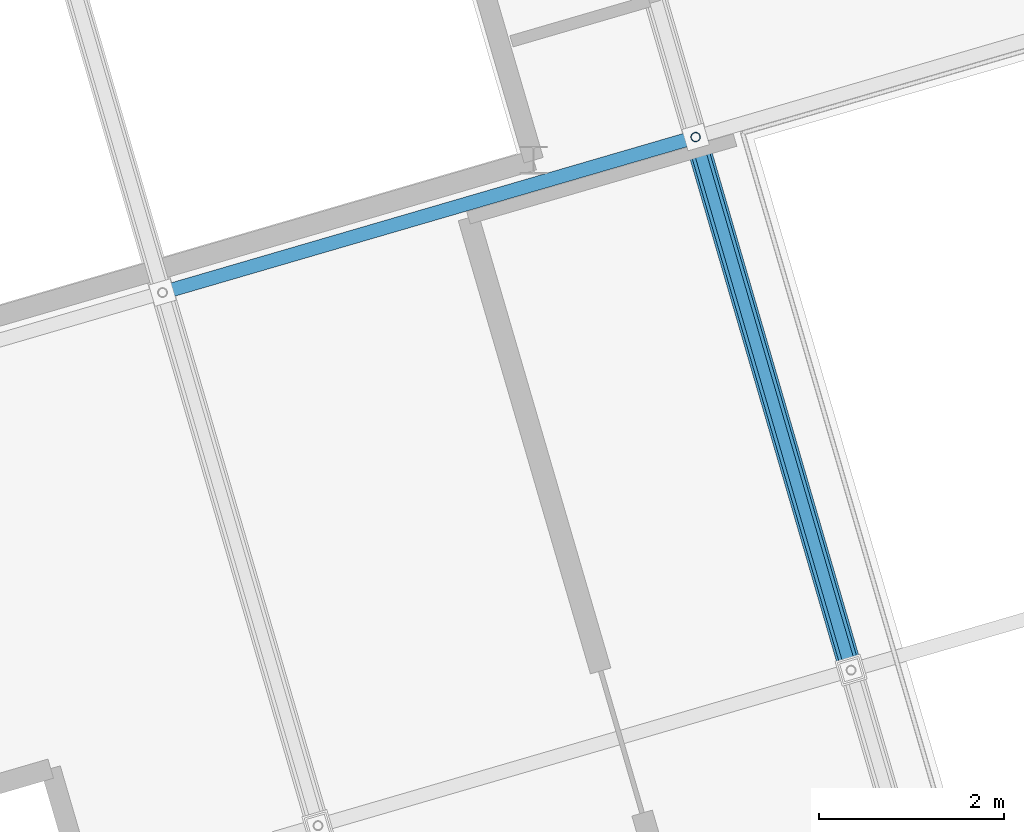
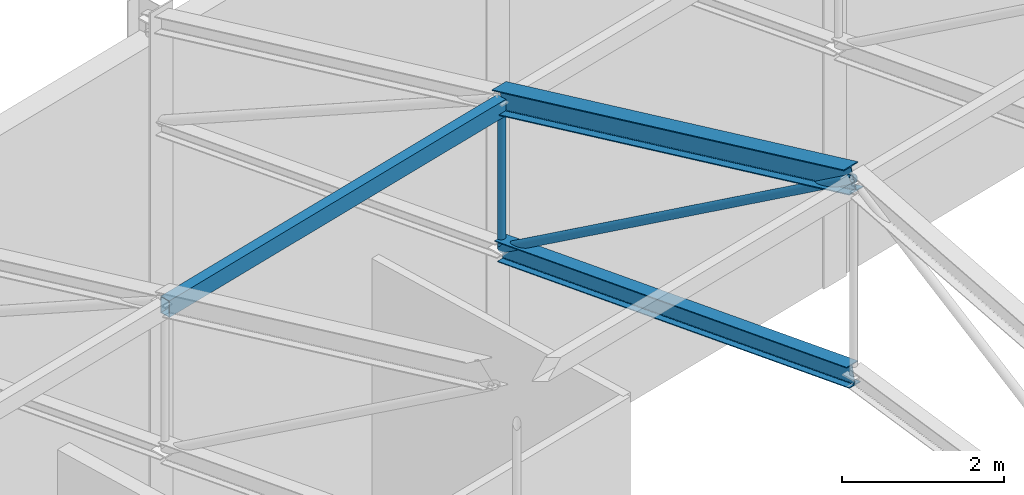
# One storey, part 146 of 248: 5 members.
"""IFC4 building model written with IfcOpenShell, lengths in metres."""

from ifc_helpers import new_model, si_unit, direction, frame, origin, origin_2d, place, context, subcontext, project, spatial, hollow_rectangle, hollow_circle, i_section, extrude, material, material_profile, profile_set, type_object, element, save


model = new_model("IFC4")

# Units and contexts
model_context = context("Model", 3, precision=1e-05, world=origin(), true_north=direction((0.0, 1.0)))
body_context = subcontext(model_context, "Body", "Model", "MODEL_VIEW")
ifc_project = project(units=[si_unit("LENGTHUNIT", "METRE"), si_unit("AREAUNIT", "SQUARE_METRE"), si_unit("VOLUMEUNIT", "CUBIC_METRE"), si_unit("PLANEANGLEUNIT", "RADIAN"), si_unit("MASSUNIT", "GRAM", prefix="KILO")], contexts=[model_context])

# Site, building, storey
site_placement = place(None, origin())
site = spatial("IfcSite", under=ifc_project, at=site_placement, CompositionType="ELEMENT")
building_placement = place(site_placement, origin())
building = spatial("IfcBuilding", under=site, at=building_placement, Name="Canggui Botanical Conservatory", CompositionType="ELEMENT")
storey_placement = place(building_placement, frame((0.0, 0.0, 5.39990234375)))
storey = spatial("IfcBuildingStorey", under=building, at=storey_placement, Name="L02", CompositionType="ELEMENT", Elevation=5.39990234375)

# Members
ifc_material = material(Name="Steel Q355B", Category="steel")
ifc_material_profile_1 = material_profile(ifc_material, hollow_rectangle(XDim=0.14990234375, YDim=0.25, WallThickness=0.008056640625, at=origin_2d()), Name="RHS 150x250x8")
ifc_profile_set_1 = profile_set([ifc_material_profile_1], Name="Steel Q355B")
member_type_1 = type_object("IfcMemberType", Name="MEM-PUR01", PredefinedType="PURLIN", material=ifc_profile_set_1)
member_1_placement = place(storey_placement, frame((66.719970703125, 108.9599609375, 11.550048828125), z_axis=(0.960003190047, 0.279989062464, 0.0), x_axis=(-0.279989062464, 0.960003190047, 0.0)))
element("IfcMember", 1, at=member_1_placement, inside=storey, type_object=member_type_1, Name="Auditorium Roof Purlin 2-3", PredefinedType="PURLIN", context=body_context, shape_type="SweptSolid", body=[
    extrude(hollow_rectangle(XDim=0.14990234375, YDim=0.25, WallThickness=0.008056640625, at=origin_2d()), origin(), (0.0, 0.0, 1.0), 6.0),
])
ifc_material_profile_2 = material_profile(ifc_material, i_section(OverallWidth=0.25, OverallDepth=0.35009765625, WebThickness=0.009033203125, FlangeThickness=0.013916015625, FilletRadius=0.02001953125, at=origin_2d()), Name="HM 350x250x9x14")
ifc_profile_set_2 = profile_set([ifc_material_profile_2], Name="Steel Q355B")
member_type_2 = type_object("IfcMemberType", Name="MEM-TC03", PredefinedType="CHORD", material=ifc_profile_set_2)
member_2_placement = place(storey_placement, frame((74.159912109375, 104.8798828125, 13.35009765625), z_axis=(-0.269385502469, 0.923646586216, -0.272595735168), x_axis=(-0.960003190047, -0.279989062464, 0.0)))
element("IfcMember", 2, at=member_2_placement, inside=storey, type_object=member_type_2, Name="Auditorium Truss AT-03 Top Chord 3", PredefinedType="CHORD", context=body_context, shape_type="SweptSolid", body=[
    extrude(i_section(OverallWidth=0.25, OverallDepth=0.35009765625, WebThickness=0.009033203125, FlangeThickness=0.013916015625, FilletRadius=0.02001953125, at=origin_2d()), origin(), (0.0, 0.0, 1.0), 6.236083984375),
])
ifc_material_profile_3 = material_profile(ifc_material, i_section(OverallWidth=0.199951171875, OverallDepth=0.300048828125, WebThickness=0.008056640625, FlangeThickness=0.011962890625, FilletRadius=0.01806640625, at=origin_2d()), Name="HM 300x200x8x12")
ifc_profile_set_3 = profile_set([ifc_material_profile_3], Name="Steel Q355B")
member_type_3 = type_object("IfcMemberType", Name="MEM-TC04", PredefinedType="CHORD", material=ifc_profile_set_3)
member_3_placement = place(storey_placement, frame((74.159912109375, 104.8798828125, 10.400146484375), z_axis=(-0.276179497805, 0.946941271868, -0.16439924764), x_axis=(-0.960003190047, -0.279989062464, 0.0)))
element("IfcMember", 3, at=member_3_placement, inside=storey, type_object=member_type_3, Name="Auditorium Truss AT-03 Bottom Chord 3", PredefinedType="CHORD", context=body_context, shape_type="SweptSolid", body=[
    extrude(i_section(OverallWidth=0.199951171875, OverallDepth=0.300048828125, WebThickness=0.008056640625, FlangeThickness=0.011962890625, FilletRadius=0.01806640625, at=origin_2d()), origin(), (0.0, 0.0, 1.0), 6.082763671875),
])
ifc_material_profile_4 = material_profile(ifc_material, hollow_circle(Radius=0.0634765625, WallThickness=0.006103515625, at=origin_2d()), Name="CHS 127x6")
ifc_profile_set_4 = profile_set([ifc_material_profile_4], Name="Steel Q355B")
member_type_4 = type_object("IfcMemberType", Name="MEM-TW02", PredefinedType="BRACE", material=ifc_profile_set_4)
member_4_placement = place(storey_placement, frame((72.47998046875, 110.639892578125, 9.400146484375), z_axis=(0.233861297543, -0.801844149531, 0.54986803269), x_axis=(0.960003190047, 0.279989062464, 0.0)))
element("IfcMember", 4, at=member_4_placement, inside=storey, type_object=member_type_4, Name="Auditorium Truss AT-03 Web Diagonal 3", PredefinedType="BRACE", context=body_context, shape_type="SweptSolid", body=[
    extrude(hollow_circle(Radius=0.0634765625, WallThickness=0.006103515625, at=origin_2d()), origin(), (0.0, 0.0, 1.0), 7.183349609375),
])
ifc_material_profile_5 = material_profile(ifc_material, hollow_circle(Radius=0.051025390625, WallThickness=0.0048828125, at=origin_2d()), Name="CHS 102x5")
ifc_profile_set_5 = profile_set([ifc_material_profile_5], Name="Steel Q355B")
member_type_5 = type_object("IfcMemberType", Name="MEM-TW04", PredefinedType="BRACE", material=ifc_profile_set_5)
member_5_placement = place(storey_placement, frame((72.47998046875, 110.639892578125, 9.400146484375), z_axis=(0.0, 0.0, 1.0), x_axis=(1.0, 0.0, 0.0)))
element("IfcMember", 5, at=member_5_placement, inside=storey, type_object=member_type_5, Name="Auditorium Truss AT-03 Vertical Post 4", PredefinedType="BRACE", context=body_context, shape_type="SweptSolid", body=[
    extrude(hollow_circle(Radius=0.051025390625, WallThickness=0.0048828125, at=origin_2d()), origin(), (0.0, 0.0, 1.0), 2.25),
])

save(model, "model.ifc")
